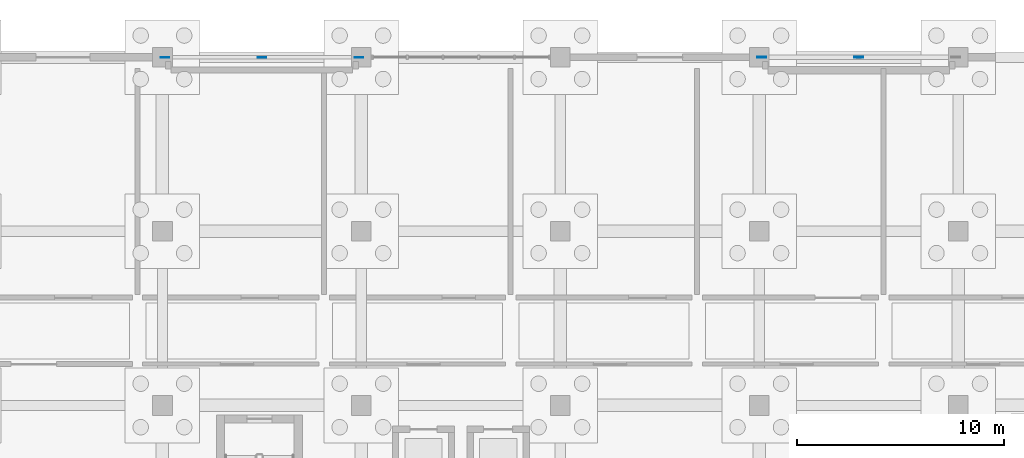
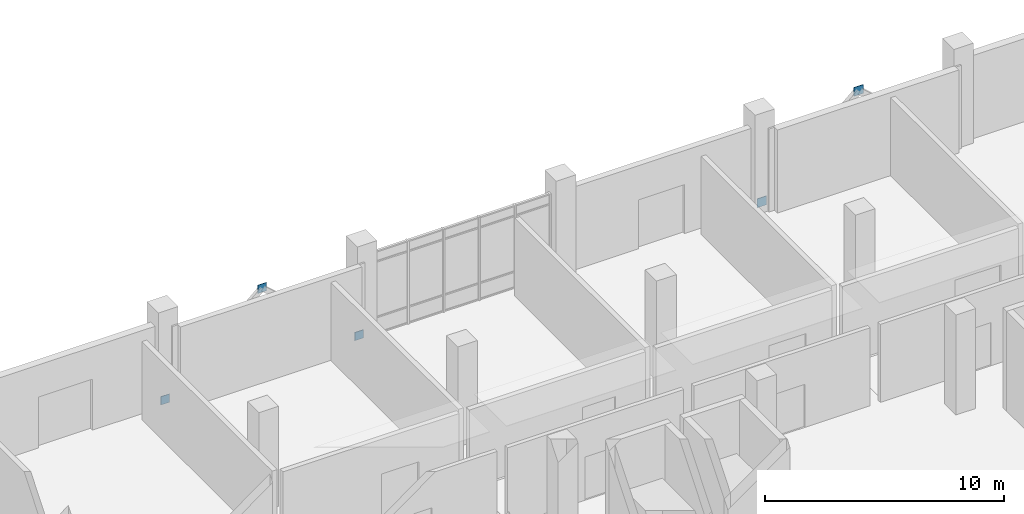
# One storey, part 100 of 136: 5 plates.
"""IFC4 building model written with IfcOpenShell, lengths in metres."""

import ifcopenshell
import ifcopenshell.guid

model = None  # the IFC model being written
_history = None  # IfcOwnerHistory: only IFC2X3 demands one
_inside = {}  # id of a spatial element -> (the spatial element, [elements in it])
_under = {}  # id of a project, library or spatial element -> (it, [spatial elements below it])
_declared = {}  # id of a project -> (the project, [libraries it declares])
_typed = {}  # id of a type object -> (the type object, [elements of that type])
_made_of = {}  # id of a material, layer set ... -> (it, [elements and type objects made of it])


def new_model(schema):
    """Start an empty IFC model of exactly this schema.

    Asked for "IFC4X3", IfcOpenShell would pick the latest addendum, in which some entities
    have other attributes; the version numbers below select the first issue.
    IFC2X3 requires an IfcOwnerHistory on every rooted entity: one is made here for all.
    """
    global model, _history
    if schema == "IFC4X3":
        model = ifcopenshell.file(schema_version=(4, 3, 0, 0))
    else:
        model = ifcopenshell.file(schema=schema)
    _inside.clear()
    _under.clear()
    _declared.clear()
    _typed.clear()
    _made_of.clear()
    _history = None
    if model.schema == "IFC2X3":
        org = make("IfcOrganization", Name="unknown")
        user = make(
            "IfcPersonAndOrganization",
            ThePerson=make("IfcPerson", FamilyName="unknown"),
            TheOrganization=org,
        )
        app = make(
            "IfcApplication",
            ApplicationDeveloper=org,
            Version="unknown",
            ApplicationFullName="unknown",
            ApplicationIdentifier="unknown",
        )
        _history = make(
            "IfcOwnerHistory",
            OwningUser=user,
            OwningApplication=app,
            ChangeAction="ADDED",
            CreationDate=0,
        )
    return model


def make(cls, **values):
    """One entity of the class cls with the attributes given. An attribute that is None is left unset."""
    return model.create_entity(
        cls, **{name: value for name, value in values.items() if value is not None}
    )


def rooted(cls, **values):
    """An entity with a GlobalId (a new one), such as an element, a storey or a relation."""
    return make(cls, GlobalId=ifcopenshell.guid.new(), OwnerHistory=_history, **values)


def si_unit(unit_type, name, prefix=None):
    """IfcSIUnit, for example si_unit("LENGTHUNIT", "METRE", prefix="MILLI")."""
    return make("IfcSIUnit", UnitType=unit_type, Prefix=prefix, Name=name)


def assignment(units):
    """IfcUnitAssignment: the units of a project."""
    return None if units is None else make("IfcUnitAssignment", Units=units)


def point(xyz):
    """IfcCartesianPoint."""
    return None if xyz is None else make("IfcCartesianPoint", Coordinates=xyz)


def direction(xyz):
    """IfcDirection."""
    return None if xyz is None else make("IfcDirection", DirectionRatios=xyz)


def frame(location, z_axis=None, x_axis=None):
    """IfcAxis2Placement3D, a coordinate frame: its origin and axes. An axis left out is left unset."""
    return make(
        "IfcAxis2Placement3D",
        Location=point(location),
        Axis=direction(z_axis),
        RefDirection=direction(x_axis),
    )


def frame_2d(location, x_axis=None):
    """IfcAxis2Placement2D, a coordinate frame in the plane: its origin and x axis."""
    return make(
        "IfcAxis2Placement2D", Location=point(location), RefDirection=direction(x_axis)
    )


def origin():
    """The frame at (0, 0, 0) with its axes left unset."""
    return frame((0.0, 0.0, 0.0))


def origin_2d():
    """The frame at (0, 0) in the plane with its x axis left unset."""
    return frame_2d((0.0, 0.0))


def place(relative_to, where):
    """IfcLocalPlacement: puts the frame where relative to a parent placement (None: the world)."""
    return make(
        "IfcLocalPlacement", PlacementRelTo=relative_to, RelativePlacement=where
    )


def context(
    kind, dimensions, precision=None, world=None, true_north=None, identifier=None
):
    """IfcGeometricRepresentationContext, for example the 3D "Model" context."""
    return make(
        "IfcGeometricRepresentationContext",
        ContextIdentifier=identifier,
        ContextType=kind,
        CoordinateSpaceDimension=dimensions,
        Precision=precision,
        WorldCoordinateSystem=world,
        TrueNorth=true_north,
    )


def subcontext(parent, identifier, kind, view, scale=None):
    """IfcGeometricRepresentationSubContext, for example "Body" below "Model"."""
    return make(
        "IfcGeometricRepresentationSubContext",
        ContextIdentifier=identifier,
        ContextType=kind,
        ParentContext=parent,
        TargetScale=scale,
        TargetView=view,
    )


def project(units=None, contexts=None):
    """IfcProject with its units and contexts."""
    return rooted(
        "IfcProject",
        Name="project",
        RepresentationContexts=contexts,
        UnitsInContext=assignment(units),
    )


def spatial(cls, under=None, at=None, **own):
    """A site, building, storey or space (cls), placed at a placement, below another one or the project."""
    s = rooted(cls, ObjectPlacement=at, **own)
    if under is not None:
        _under.setdefault(under.id(), (under, []))[1].append(s)
    return s


def profile(cls, at=None, kind="AREA", **sizes):
    """A parametric profile (cls). Its sizes go by their IFC names, for example OverallWidth=200.0."""
    return make(cls, ProfileType=kind, Position=at, **sizes)


def rectangle(**sizes):
    """IfcRectangleProfileDef."""
    return profile("IfcRectangleProfileDef", **sizes)


def extrude(swept, where, along, depth):
    """IfcExtrudedAreaSolid: the profile swept, set in the frame where, extruded along a direction by depth."""
    return make(
        "IfcExtrudedAreaSolid",
        SweptArea=swept,
        Position=where,
        ExtrudedDirection=direction(along),
        Depth=depth,
    )


def shape(context_of_items, identifier, shape_type, items):
    """IfcShapeRepresentation: the items that make up one representation, for example the "Body"."""
    return make(
        "IfcShapeRepresentation",
        ContextOfItems=context_of_items,
        RepresentationIdentifier=identifier,
        RepresentationType=shape_type,
        Items=items,
    )


def material(Name=None, Category=None):
    """IfcMaterial."""
    return make("IfcMaterial", Name=Name, Category=Category)


def layer(
    of_material, thickness, ventilated=None, Name=None, Category=None, Priority=None
):
    """IfcMaterialLayer: one layer of a wall or slab, of a material (None: an air gap)."""
    return make(
        "IfcMaterialLayer",
        Material=of_material,
        LayerThickness=thickness,
        IsVentilated=ventilated,
        Name=Name,
        Category=Category,
        Priority=Priority,
    )


def layer_set(layers, Name=None):
    """IfcMaterialLayerSet."""
    return make("IfcMaterialLayerSet", MaterialLayers=layers, LayerSetName=Name)


def made_of(thing, what):
    """Note that an element or type object is made of a material, layer set ...; save() writes the relation."""
    if what is not None:
        _made_of.setdefault(what.id(), (what, []))[1].append(thing)
    return thing


def type_object(cls, material=None, **own):
    """A type object (cls), such as IfcWallType, which elements share."""
    return made_of(rooted(cls, **own), material)


def element(
    cls,
    number,
    at=None,
    inside=None,
    cuts=None,
    type_object=None,
    material=None,
    context=None,
    identifier="Body",
    shape_type=None,
    held_by="IfcProductDefinitionShape",
    body=None,
    shapes=None,
    **own,
):
    """One element of the class cls, such as IfcWall. Its Tag is "e" and its number.

    at: its placement. inside: the storey or other place that contains it. cuts: it is an
    opening in that element (IfcRelVoidsElement). A single representation is given by context,
    identifier, shape_type and body (its items); several are given by shapes. held_by: the class
    of the entity that holds the representations. save() writes the other relations.
    """
    e = rooted(cls, Tag="e%d" % number, ObjectPlacement=at, **own)
    if body is not None:
        shapes = [shape(context, identifier, shape_type, body)]
    if shapes is not None:
        e.Representation = make(held_by, Representations=shapes)
    if inside is not None:
        _inside.setdefault(inside.id(), (inside, []))[1].append(e)
    if cuts is not None:
        rooted(
            "IfcRelVoidsElement", RelatingBuildingElement=cuts, RelatedOpeningElement=e
        )
    if type_object is not None:
        _typed.setdefault(type_object.id(), (type_object, []))[1].append(e)
    return made_of(e, material)


def aggregate(whole, parts):
    """IfcRelAggregates: a whole, such as a stair, and the parts it consists of."""
    return rooted("IfcRelAggregates", RelatingObject=whole, RelatedObjects=parts)


def save(model, path):
    """Write the relations noted so far, then the file.

    IfcRelAggregates (storeys below a building ...), IfcRelContainedInSpatialStructure (elements
    in a storey), IfcRelDefinesByType, IfcRelAssociatesMaterial and IfcRelDeclares: one each for
    every whole, place, type object, material and project.
    """
    for whole, parts in _under.values():
        aggregate(whole, parts)
    for where, things in _inside.values():
        rooted(
            "IfcRelContainedInSpatialStructure",
            RelatedElements=things,
            RelatingStructure=where,
        )
    for kind, things in _typed.values():
        rooted("IfcRelDefinesByType", RelatedObjects=things, RelatingType=kind)
    for what, things in _made_of.values():
        rooted("IfcRelAssociatesMaterial", RelatedObjects=things, RelatingMaterial=what)
    for by, libraries in _declared.values():
        rooted("IfcRelDeclares", RelatingContext=by, RelatedDefinitions=libraries)
    model.write(path)


model = new_model("IFC4")

# Units and contexts
model_context = context("Model", 3, precision=1e-05, world=origin(), true_north=direction((0.0, 1.0)))
body_context = subcontext(model_context, "Body", "Model", "MODEL_VIEW")
ifc_project = project(units=[si_unit("LENGTHUNIT", "METRE"), si_unit("AREAUNIT", "SQUARE_METRE"), si_unit("VOLUMEUNIT", "CUBIC_METRE"), si_unit("PLANEANGLEUNIT", "RADIAN"), si_unit("MASSUNIT", "GRAM", prefix="KILO")], contexts=[model_context])

# Site, building, storey
site_placement = place(None, origin())
site = spatial("IfcSite", under=ifc_project, at=site_placement, CompositionType="ELEMENT")
building_placement = place(site_placement, origin())
building = spatial("IfcBuilding", under=site, at=building_placement, Name="Oolite Switchyard Hospital", CompositionType="ELEMENT")
storey_placement = place(building_placement, origin())
storey = spatial("IfcBuildingStorey", under=building, at=storey_placement, Name="L00", CompositionType="ELEMENT", Elevation=0.0)

# Plates
ifc_material = material(Name="Steel ASTM A572 Grade 50", Category="steel")
ifc_layer_1 = layer(ifc_material, 0.028076171875)
ifc_layer_set_1 = layer_set([ifc_layer_1], Name="PLT-GUS-420")
plate_type_1 = type_object("IfcPlateType", Name="PLT-GUS-420", PredefinedType="SHEET", material=ifc_layer_set_1)
for number, where, z_axis, x_axis, name in (
    (1, (153.719970703125, 134.39990234375, -0.010009765625), (0.0, 0.0, 1.0), (1.0, 0.0, 0.0), "L00 Brace Base Gusset Plate 43"),
    (2, (163.080078125, 134.39990234375, -0.010009765625), (0.0, 0.0, 1.0), (1.0, 0.0, 0.0), "L00 Brace Base Gusset Plate 44"),
    (3, (158.39990234375, 134.39990234375, 4.0400390625), (0.0, 0.0, 1.0), (1.0, 0.0, 0.0), "L00 Gusset Connection Plate 45"),
):
    element("IfcPlate", number, at=place(storey_placement, frame(where, z_axis=z_axis, x_axis=x_axis)), inside=storey, type_object=plate_type_1, Name=name, PredefinedType="SHEET", context=body_context, shape_type="SweptSolid", body=[
        extrude(rectangle(XDim=0.419921875, YDim=0.028076171875, at=origin_2d()), origin(), (0.0, 0.0, 1.0), 0.419921875),
    ])
ifc_layer_2 = layer(ifc_material, 0.030029296875)
ifc_layer_set_2 = layer_set([ifc_layer_2], Name="PLT-GUS-450")
plate_type_2 = type_object("IfcPlateType", Name="PLT-GUS-450", PredefinedType="SHEET", material=ifc_layer_set_2)
for number, where, z_axis, x_axis, name in (
    (4, (182.52001953125, 134.39990234375, -0.02490234375), (0.0, 0.0, 1.0), (1.0, 0.0, 0.0), "L00 Brace Base Gusset Plate 67"),
    (5, (187.199951171875, 134.39990234375, 4.02490234375), (0.0, 0.0, 1.0), (1.0, 0.0, 0.0), "L00 Gusset Connection Plate 69"),
):
    element("IfcPlate", number, at=place(storey_placement, frame(where, z_axis=z_axis, x_axis=x_axis)), inside=storey, type_object=plate_type_2, Name=name, PredefinedType="SHEET", context=body_context, shape_type="SweptSolid", body=[
        extrude(rectangle(XDim=0.449951171875, YDim=0.030029296875, at=origin_2d()), origin(), (0.0, 0.0, 1.0), 0.449951171875),
    ])

save(model, "model.ifc")
